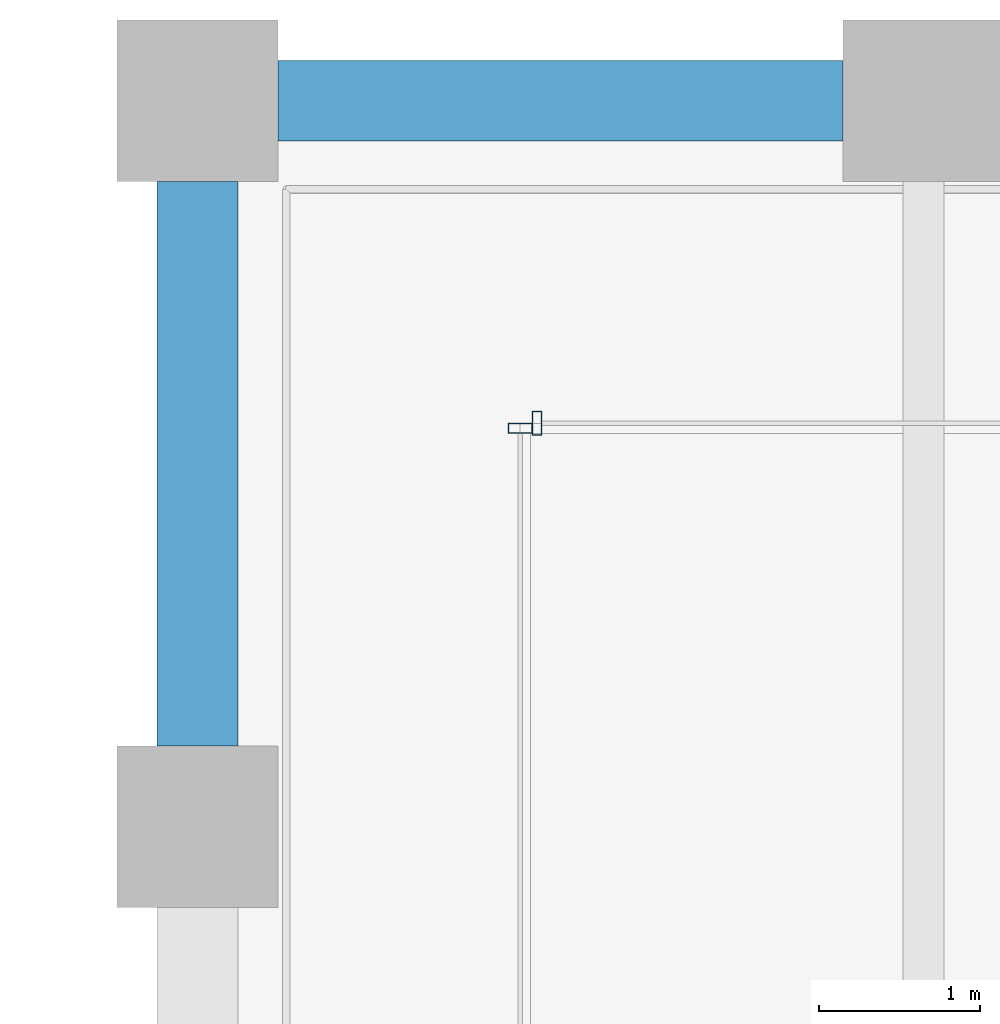
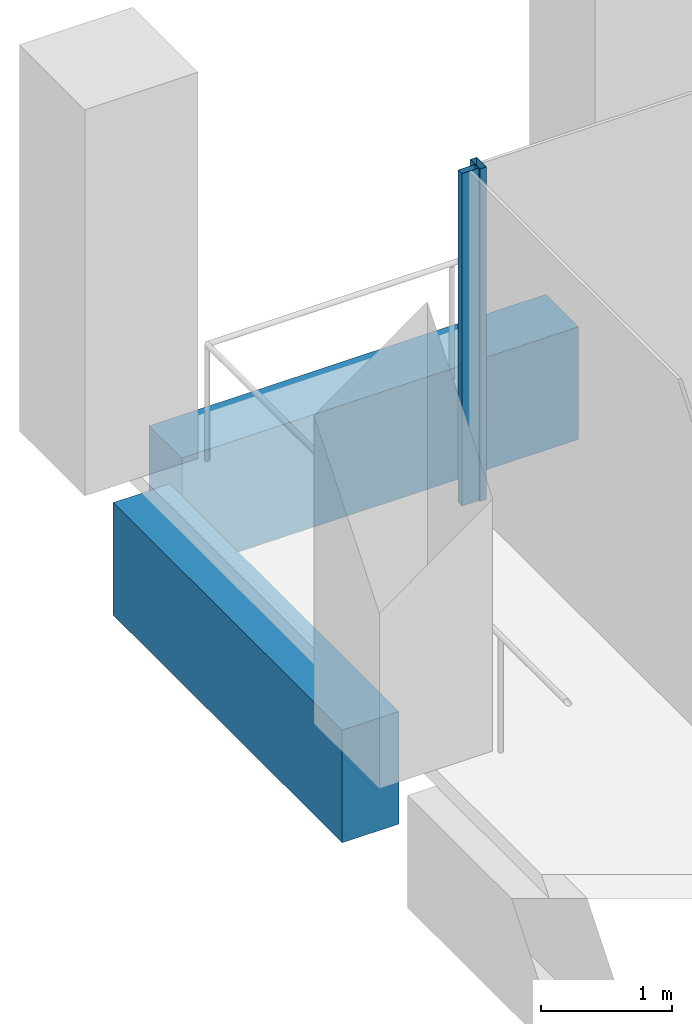
# One storey, part 21 of 46: 2 beams, 2 members, 2 elements without a shape of their own.
"""IFC4 building model written with IfcOpenShell, lengths in metres."""

from ifc_helpers import new_model, si_unit, direction, frame, origin, origin_2d, place, context, subcontext, project, spatial, rectangle, hollow_rectangle, extrude, material, material_profile, profile_set, type_object, element, aggregate, save


model = new_model("IFC4")

# Units and contexts
model_context = context("Model", 3, precision=1e-05, world=origin(), true_north=direction((0.0, 1.0)))
body_context = subcontext(model_context, "Body", "Model", "MODEL_VIEW")
ifc_project = project(units=[si_unit("LENGTHUNIT", "METRE"), si_unit("AREAUNIT", "SQUARE_METRE"), si_unit("VOLUMEUNIT", "CUBIC_METRE"), si_unit("PLANEANGLEUNIT", "RADIAN"), si_unit("MASSUNIT", "GRAM", prefix="KILO")], contexts=[model_context])

# Site, building, storey
site_placement = place(None, origin())
site = spatial("IfcSite", under=ifc_project, at=site_placement, CompositionType="ELEMENT")
building_placement = place(site_placement, origin())
building = spatial("IfcBuilding", under=site, at=building_placement, Name="Altepetl Exchange Towers", CompositionType="ELEMENT")
storey_placement = place(building_placement, frame((0.0, 0.0, 128.0)))
storey = spatial("IfcBuildingStorey", under=building, at=storey_placement, Name="L31", CompositionType="ELEMENT", Elevation=128.0)

# Curtain wall, member
ifc_material_1 = material(Name="Aluminium 6063-T6 glazing", Category="aluminium")
curtain_wall_type = type_object("IfcCurtainWallType", Name="Loggia glazing system", PredefinedType="NOTDEFINED", material=ifc_material_1)
curtain_wall_1_placement = place(storey_placement, origin())
curtain_wall_1 = element("IfcCurtainWall", 1, at=curtain_wall_1_placement, inside=storey, type_object=curtain_wall_type, Name="CW1 run", PredefinedType="NOTDEFINED")
ifc_material_2 = material(Name="Aluminium 6063-T6", Category="aluminium")
ifc_material_profile_1 = material_profile(ifc_material_2, hollow_rectangle(XDim=0.06005859375, YDim=0.14990234375, WallThickness=0.0029296875, at=origin_2d()), Name="Mullion 60x150 aluminium")
ifc_profile_set_1 = profile_set([ifc_material_profile_1], Name="Aluminium 6063-T6")
member_type = type_object("IfcMemberType", Name="Mullion 60x150 aluminium", PredefinedType="MULLION", material=ifc_profile_set_1)
member_1_placement = place(storey_placement, frame((42.60498046875, 70.0, 0.0), z_axis=(0.0, 0.0, 1.0), x_axis=(-1.0, 0.0, 0.0)))
member_1 = element("IfcMember", 2, at=member_1_placement, type_object=member_type, Name="MU1 mullion", PredefinedType="MULLION", context=body_context, shape_type="SweptSolid", body=[
    extrude(hollow_rectangle(XDim=0.06005859375, YDim=0.14990234375, WallThickness=0.0029296875, at=origin_2d()), origin(), (0.0, 0.0, 1.0), 3.10009765625),
])
aggregate(curtain_wall_1, [member_1])

curtain_wall_2_placement = place(storey_placement, origin())
curtain_wall_2 = element("IfcCurtainWall", 3, at=curtain_wall_2_placement, inside=storey, type_object=curtain_wall_type, Name="CW1 run", PredefinedType="NOTDEFINED")
member_2_placement = place(storey_placement, frame((42.5, 69.969970703125, 0.0), z_axis=(0.0, 0.0, 1.0), x_axis=(0.0, -1.0, 0.0)))
member_2 = element("IfcMember", 4, at=member_2_placement, type_object=member_type, Name="MU1 mullion", PredefinedType="MULLION", context=body_context, shape_type="SweptSolid", body=[
    extrude(hollow_rectangle(XDim=0.06005859375, YDim=0.14990234375, WallThickness=0.0029296875, at=origin_2d()), origin(), (0.0, 0.0, 1.0), 3.10009765625),
])
aggregate(curtain_wall_2, [member_2])

# Beams
ifc_material_3 = material(Name="Concrete C50/60 precast with cantera rosa facing", Category="concrete")
ifc_material_profile_2 = material_profile(ifc_material_3, rectangle(XDim=0.5, YDim=1.050048828125, at=origin_2d()), Name="500 x 1050")
ifc_profile_set_2 = profile_set([ifc_material_profile_2], Name="Concrete C50/60 precast with cantera rosa facing")
beam_type_1 = type_object("IfcBeamType", Name="Spandrel beam 500x1050 cantera rosa", PredefinedType="SPANDREL", material=ifc_profile_set_2)
beam_1_placement = place(storey_placement, frame((44.5, 72.0, -0.675048828125), z_axis=(-1.0, 0.0, 0.0), x_axis=(0.0, -1.0, 0.0)))
element("IfcBeam", 5, at=beam_1_placement, inside=storey, type_object=beam_type_1, Name="sp:A:L31:029", PredefinedType="SPANDREL", context=body_context, shape_type="SweptSolid", body=[
    extrude(rectangle(XDim=0.5, YDim=1.050048828125, at=origin_2d()), origin(), (0.0, 0.0, 1.0), 3.5),
])
ifc_material_4 = material(Name="Concrete C50/60 precast with tezontle facing", Category="concrete")
ifc_material_profile_3 = material_profile(ifc_material_4, rectangle(XDim=0.5, YDim=1.050048828125, at=origin_2d()), Name="500 x 1050")
ifc_profile_set_3 = profile_set([ifc_material_profile_3], Name="Concrete C50/60 precast with tezontle facing")
beam_type_2 = type_object("IfcBeamType", Name="Spandrel beam 500x1050 tezontle", PredefinedType="SPANDREL", material=ifc_profile_set_3)
beam_2_placement = place(storey_placement, frame((40.5, 71.5, -0.675048828125), z_axis=(0.0, -1.0, 0.0), x_axis=(1.0, 0.0, 0.0)))
element("IfcBeam", 6, at=beam_2_placement, inside=storey, type_object=beam_type_2, Name="sp:A:L31:030", PredefinedType="SPANDREL", context=body_context, shape_type="SweptSolid", body=[
    extrude(rectangle(XDim=0.5, YDim=1.050048828125, at=origin_2d()), origin(), (0.0, 0.0, 1.0), 3.5),
])

save(model, "model.ifc")
